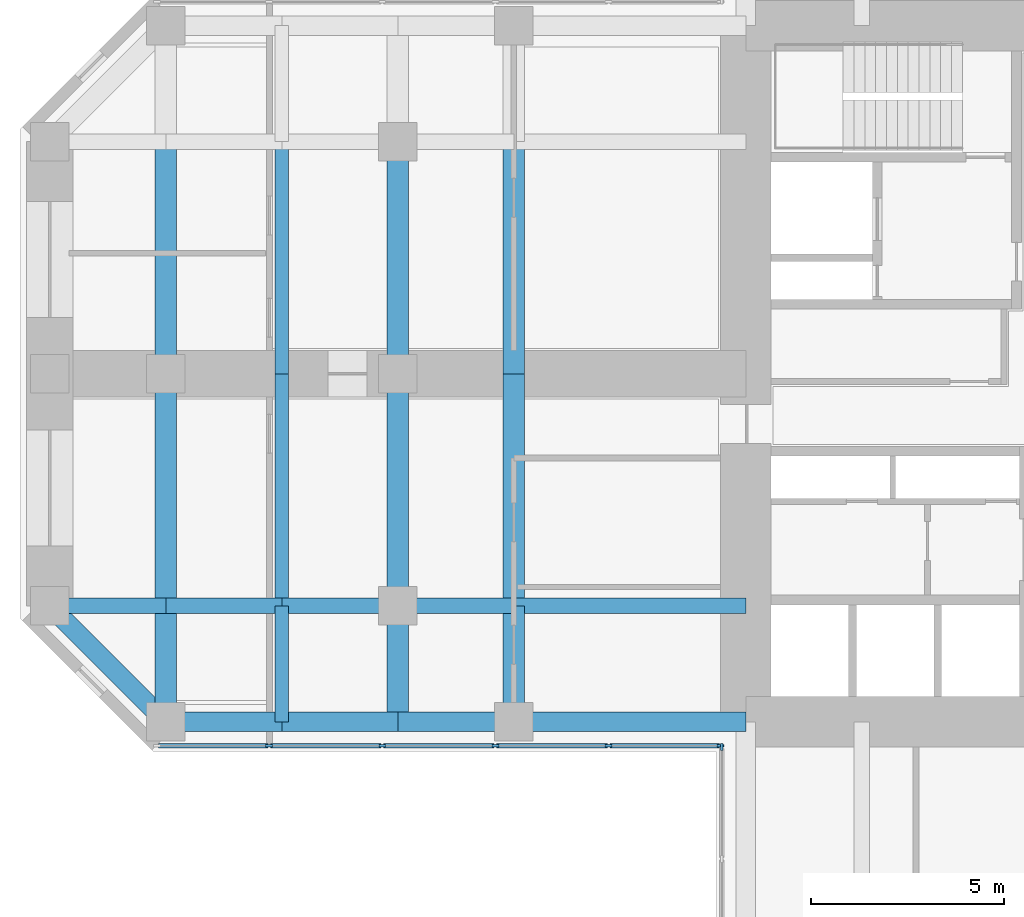
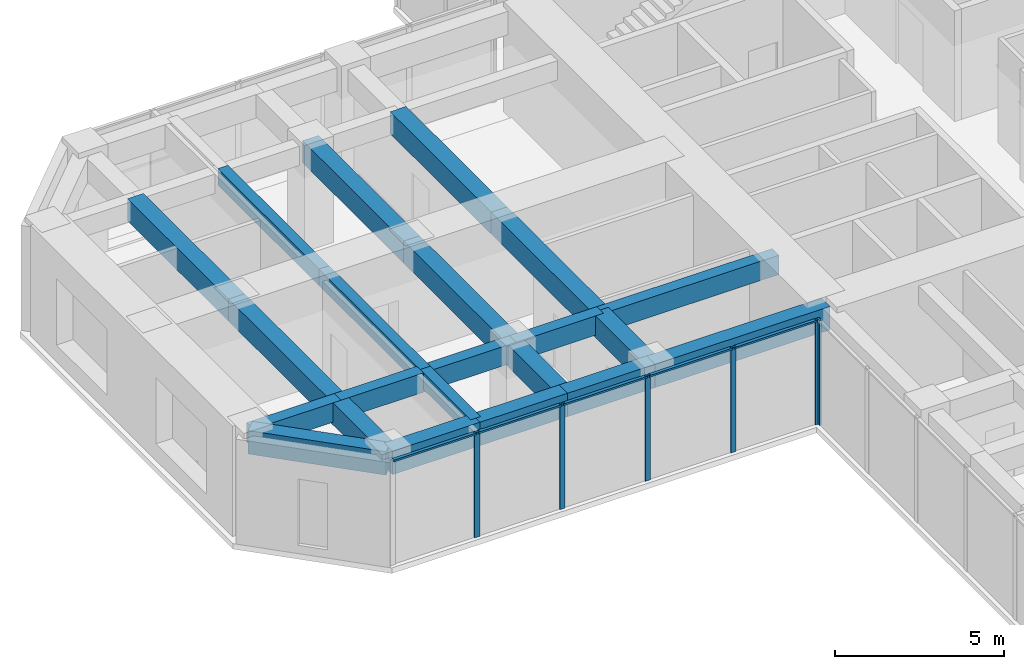
# One storey, part 3 of 13: 22 beams, 11 members, 2 elements without a shape of their own.
"""IFC4 building model written with IfcOpenShell, lengths in metres."""

from ifc_helpers import new_model, si_unit, direction, frame, origin, origin_2d, place, context, subcontext, project, spatial, rectangle, extrude, material, material_profile, profile_set, type_object, element, aggregate, save


model = new_model("IFC4")

# Units and contexts
model_context = context("Model", 3, precision=1e-05, world=origin(), true_north=direction((0.0, 1.0)))
body_context = subcontext(model_context, "Body", "Model", "MODEL_VIEW")
ifc_project = project(units=[si_unit("LENGTHUNIT", "METRE"), si_unit("AREAUNIT", "SQUARE_METRE"), si_unit("VOLUMEUNIT", "CUBIC_METRE"), si_unit("PLANEANGLEUNIT", "RADIAN"), si_unit("MASSUNIT", "GRAM", prefix="KILO")], contexts=[model_context])

# Site, building, storey
site_placement = place(None, origin())
site = spatial("IfcSite", under=ifc_project, at=site_placement, CompositionType="ELEMENT")
building_placement = place(site_placement, origin())
building = spatial("IfcBuilding", under=site, at=building_placement, Name="Torre Cruceta", CompositionType="ELEMENT")
storey_placement = place(building_placement, frame((0.0, 0.0, 156.5)))
storey = spatial("IfcBuildingStorey", under=building, at=storey_placement, Name="L38", CompositionType="ELEMENT", Elevation=156.5)

# Beams
ifc_material_1 = material(Name="Concrete G60 (fck 60 MPa)", Category="concrete")
ifc_material_profile_1 = material_profile(ifc_material_1, rectangle(XDim=0.39990234375, YDim=0.699951171875, at=origin_2d()), Name="RC 400X700")
ifc_profile_set_1 = profile_set([ifc_material_profile_1], Name="Concrete G60 (fck 60 MPa)")
beam_type_1 = type_object("IfcBeamType", Name="COLUMN LINE BEAM RC 400X700", PredefinedType="BEAM", material=ifc_profile_set_1)
beam_1_placement = place(storey_placement, frame((-9.0, -6.0, 3.449951171875), z_axis=(-1.0, 0.0, 0.0), x_axis=(0.0, -1.0, 0.0)))
element("IfcBeam", 1, at=beam_1_placement, inside=storey, type_object=beam_type_1, Name="LB5 L38 W col+ 1", PredefinedType="BEAM", context=body_context, shape_type="SweptSolid", body=[
    extrude(rectangle(XDim=0.39990234375, YDim=0.699951171875, at=origin_2d()), origin(), (0.0, 0.0, 1.0), 6.0),
])
for number, where, z_axis, x_axis, name in (
    (2, (-15.0, -6.0, 3.449951171875), (-1.0, 0.0, 0.0), (0.0, -1.0, 0.0), "LB5 L38 W col+ 2"),
    (3, (-18.0, -6.0, 3.449951171875), (-1.0, 0.0, 0.0), (0.0, -1.0, 0.0), "LB5 L38 W col+ 3"),
    (4, (-21.0, -6.0, 3.449951171875), (-1.0, 0.0, 0.0), (0.0, -1.0, 0.0), "LB5 L38 W col+ 4"),
    (5, (-24.0, -6.0, 3.449951171875), (-1.0, 0.0, 0.0), (0.0, -1.0, 0.0), "LB5 L38 W col+ 5"),
):
    element("IfcBeam", number, at=place(storey_placement, frame(where, z_axis=z_axis, x_axis=x_axis)), inside=storey, type_object=beam_type_1, Name=name, PredefinedType="BEAM", context=body_context, shape_type="SweptSolid", body=[
        extrude(rectangle(XDim=0.39990234375, YDim=0.699951171875, at=origin_2d()), origin(), (0.0, 0.0, 1.0), 3.0),
    ])
ifc_material_2 = material(Name="Concrete G60 (fck 60 MPa)", Category="concrete")
ifc_material_profile_2 = material_profile(ifc_material_2, rectangle(XDim=0.550048828125, YDim=0.800048828125, at=origin_2d()), Name="RC 550X800")
ifc_profile_set_2 = profile_set([ifc_material_profile_2], Name="Concrete G60 (fck 60 MPa)")
beam_type_2 = type_object("IfcBeamType", Name="CROSS BEAM RC 550X800", PredefinedType="BEAM", material=ifc_profile_set_2)
for number, where, z_axis, x_axis, name in (
    (6, (-15.0, 6.0, 3.39990234375), (0.0, -1.0, 0.0), (1.0, 0.0, 0.0), "GB5 L38 W cross15 2"),
    (7, (-15.0, 0.0, 3.39990234375), (0.0, -1.0, 0.0), (1.0, 0.0, 0.0), "GB5 L38 W cross15 3"),
):
    element("IfcBeam", number, at=place(storey_placement, frame(where, z_axis=z_axis, x_axis=x_axis)), inside=storey, type_object=beam_type_2, Name=name, PredefinedType="BEAM", context=body_context, shape_type="SweptSolid", body=[
        extrude(rectangle(XDim=0.550048828125, YDim=0.800048828125, at=origin_2d()), origin(), (0.0, 0.0, 1.0), 6.0),
    ])
beam_2_placement = place(storey_placement, frame((-15.0, -6.0, 3.39990234375), z_axis=(0.0, -1.0, 0.0), x_axis=(1.0, 0.0, 0.0)))
element("IfcBeam", 8, at=beam_2_placement, inside=storey, type_object=beam_type_2, Name="GB5 L38 W cross15 4", PredefinedType="BEAM", context=body_context, shape_type="SweptSolid", body=[
    extrude(rectangle(XDim=0.550048828125, YDim=0.800048828125, at=origin_2d()), origin(), (0.0, 0.0, 1.0), 3.0),
])
for number, where, z_axis, x_axis, name in (
    (9, (-18.0, 6.0, 3.39990234375), (0.0, -1.0, 0.0), (1.0, 0.0, 0.0), "GB5 L38 W cross18 2"),
    (10, (-18.0, 0.0, 3.39990234375), (0.0, -1.0, 0.0), (1.0, 0.0, 0.0), "GB5 L38 W cross18 3"),
):
    element("IfcBeam", number, at=place(storey_placement, frame(where, z_axis=z_axis, x_axis=x_axis)), inside=storey, type_object=beam_type_2, Name=name, PredefinedType="BEAM", context=body_context, shape_type="SweptSolid", body=[
        extrude(rectangle(XDim=0.550048828125, YDim=0.800048828125, at=origin_2d()), origin(), (0.0, 0.0, 1.0), 6.0),
    ])
beam_3_placement = place(storey_placement, frame((-18.0, -6.0, 3.39990234375), z_axis=(0.0, -1.0, 0.0), x_axis=(1.0, 0.0, 0.0)))
element("IfcBeam", 11, at=beam_3_placement, inside=storey, type_object=beam_type_2, Name="GB5 L38 W cross18 4", PredefinedType="BEAM", context=body_context, shape_type="SweptSolid", body=[
    extrude(rectangle(XDim=0.550048828125, YDim=0.800048828125, at=origin_2d()), origin(), (0.0, 0.0, 1.0), 3.0),
])
for number, where, z_axis, x_axis, name in (
    (12, (-24.0, 6.0, 3.39990234375), (0.0, -1.0, 0.0), (1.0, 0.0, 0.0), "GB5 L38 W cross24 2"),
    (13, (-24.0, 0.0, 3.39990234375), (0.0, -1.0, 0.0), (1.0, 0.0, 0.0), "GB5 L38 W cross24 3"),
):
    element("IfcBeam", number, at=place(storey_placement, frame(where, z_axis=z_axis, x_axis=x_axis)), inside=storey, type_object=beam_type_2, Name=name, PredefinedType="BEAM", context=body_context, shape_type="SweptSolid", body=[
        extrude(rectangle(XDim=0.550048828125, YDim=0.800048828125, at=origin_2d()), origin(), (0.0, 0.0, 1.0), 6.0),
    ])
beam_4_placement = place(storey_placement, frame((-24.0, -6.0, 3.39990234375), z_axis=(0.0, -1.0, 0.0), x_axis=(1.0, 0.0, 0.0)))
element("IfcBeam", 14, at=beam_4_placement, inside=storey, type_object=beam_type_2, Name="GB5 L38 W cross24 4", PredefinedType="BEAM", context=body_context, shape_type="SweptSolid", body=[
    extrude(rectangle(XDim=0.550048828125, YDim=0.800048828125, at=origin_2d()), origin(), (0.0, 0.0, 1.0), 3.0),
])

# Curtain wall, members
ifc_material_3 = material(Name="Aluminium unitised curtain wall", Category="aluminium")
curtain_wall_type = type_object("IfcCurtainWallType", Name="CURTAIN WALL CW-B OFFICE MID RISE", PredefinedType="USERDEFINED", material=ifc_material_3)
curtain_wall_1_placement = place(storey_placement, origin())
curtain_wall_1 = element("IfcCurtainWall", 15, at=curtain_wall_1_placement, inside=storey, type_object=curtain_wall_type, Name="CW-B L38 W side 14", ObjectType="UNITISED", PredefinedType="USERDEFINED")
ifc_material_4 = material(Name="Aluminium mullion", Category="aluminium")
ifc_material_profile_3 = material_profile(ifc_material_4, rectangle(XDim=0.06494140625, YDim=0.179931640625, at=origin_2d()), Name="AL 65X180")
ifc_profile_set_3 = profile_set([ifc_material_profile_3], Name="Aluminium mullion")
member_type_1 = type_object("IfcMemberType", Name="CW-B MULLION 65X180", PredefinedType="MULLION", material=ifc_profile_set_3)
member_1_placement = place(storey_placement, frame((-21.329345703125, -9.6201171875, 0.0), z_axis=(0.0, 0.0, 1.0), x_axis=(0.0, 1.0, 0.0)))
member_1 = element("IfcMember", 16, at=member_1_placement, type_object=member_type_1, Name="CW-B mullion 2", PredefinedType="MULLION", context=body_context, shape_type="SweptSolid", body=[
    extrude(rectangle(XDim=0.06494140625, YDim=0.179931640625, at=origin_2d()), origin(), (0.0, 0.0, 1.0), 3.800048828125),
])
member_2_placement = place(storey_placement, frame((-18.402099609375, -9.6201171875, 0.0), z_axis=(0.0, 0.0, 1.0), x_axis=(0.0, 1.0, 0.0)))
member_2 = element("IfcMember", 17, at=member_2_placement, type_object=member_type_1, Name="CW-B mullion 3", PredefinedType="MULLION", context=body_context, shape_type="SweptSolid", body=[
    extrude(rectangle(XDim=0.06494140625, YDim=0.179931640625, at=origin_2d()), origin(), (0.0, 0.0, 1.0), 3.800048828125),
])
member_3_placement = place(storey_placement, frame((-15.474609375, -9.6201171875, 0.0), z_axis=(0.0, 0.0, 1.0), x_axis=(0.0, 1.0, 0.0)))
member_3 = element("IfcMember", 18, at=member_3_placement, type_object=member_type_1, Name="CW-B mullion 4", PredefinedType="MULLION", context=body_context, shape_type="SweptSolid", body=[
    extrude(rectangle(XDim=0.06494140625, YDim=0.179931640625, at=origin_2d()), origin(), (0.0, 0.0, 1.0), 3.800048828125),
])
member_4_placement = place(storey_placement, frame((-12.54736328125, -9.6201171875, 0.0), z_axis=(0.0, 0.0, 1.0), x_axis=(0.0, 1.0, 0.0)))
member_4 = element("IfcMember", 19, at=member_4_placement, type_object=member_type_1, Name="CW-B mullion 5", PredefinedType="MULLION", context=body_context, shape_type="SweptSolid", body=[
    extrude(rectangle(XDim=0.06494140625, YDim=0.179931640625, at=origin_2d()), origin(), (0.0, 0.0, 1.0), 3.800048828125),
])
member_5_placement = place(storey_placement, frame((-9.652587890625, -9.6201171875, 0.0), z_axis=(0.0, 0.0, 1.0), x_axis=(0.0, 1.0, 0.0)))
member_5 = element("IfcMember", 20, at=member_5_placement, type_object=member_type_1, Name="CW-B mullion 6", PredefinedType="MULLION", context=body_context, shape_type="SweptSolid", body=[
    extrude(rectangle(XDim=0.06494140625, YDim=0.179931640625, at=origin_2d()), origin(), (0.0, 0.0, 1.0), 3.800048828125),
])

# Curtain wall, member
curtain_wall_2_placement = place(storey_placement, origin())
curtain_wall_2 = element("IfcCurtainWall", 21, at=curtain_wall_2_placement, inside=storey, type_object=curtain_wall_type, Name="CW-B L38 S side 15", ObjectType="UNITISED", PredefinedType="USERDEFINED")
member_6_placement = place(storey_placement, frame((-9.6201171875, -9.652587890625, 0.0), z_axis=(0.0, 0.0, 1.0), x_axis=(1.0, 0.0, 0.0)))
member_6 = element("IfcMember", 22, at=member_6_placement, type_object=member_type_1, Name="CW-B mullion 1", PredefinedType="MULLION", context=body_context, shape_type="SweptSolid", body=[
    extrude(rectangle(XDim=0.06494140625, YDim=0.179931640625, at=origin_2d()), origin(), (0.0, 0.0, 1.0), 3.800048828125),
])
aggregate(curtain_wall_2, [member_6])

# Member
ifc_material_5 = material(Name="Aluminium transom", Category="aluminium")
ifc_material_profile_4 = material_profile(ifc_material_5, rectangle(XDim=0.110107421875, YDim=0.06494140625, at=origin_2d()), Name="AL 110X65")
ifc_profile_set_4 = profile_set([ifc_material_profile_4], Name="Aluminium transom")
member_type_2 = type_object("IfcMemberType", Name="CW-B TRANSOM 65X110", PredefinedType="USERDEFINED", material=ifc_profile_set_4)
member_7_placement = place(storey_placement, frame((-24.19189453125, -9.6201171875, 3.767578125), z_axis=(1.0, 0.0, 0.0), x_axis=(0.0, 1.0, 0.0)))
member_7 = element("IfcMember", 23, at=member_7_placement, type_object=member_type_2, Name="CW-B transom 1", ObjectType="TRANSOM", PredefinedType="USERDEFINED", context=body_context, shape_type="SweptSolid", body=[
    extrude(rectangle(XDim=0.110107421875, YDim=0.06494140625, at=origin_2d()), origin(), (0.0, 0.0, 1.0), 2.829833984375),
])

member_8_placement = place(storey_placement, frame((-21.296875, -9.6201171875, 3.767578125), z_axis=(1.0, 0.0, 0.0), x_axis=(0.0, 1.0, 0.0)))
member_8 = element("IfcMember", 24, at=member_8_placement, type_object=member_type_2, Name="CW-B transom 2", ObjectType="TRANSOM", PredefinedType="USERDEFINED", context=body_context, shape_type="SweptSolid", body=[
    extrude(rectangle(XDim=0.110107421875, YDim=0.06494140625, at=origin_2d()), origin(), (0.0, 0.0, 1.0), 2.8623046875),
])

member_9_placement = place(storey_placement, frame((-18.36962890625, -9.6201171875, 3.767578125), z_axis=(1.0, 0.0, 0.0), x_axis=(0.0, 1.0, 0.0)))
member_9 = element("IfcMember", 25, at=member_9_placement, type_object=member_type_2, Name="CW-B transom 3", ObjectType="TRANSOM", PredefinedType="USERDEFINED", context=body_context, shape_type="SweptSolid", body=[
    extrude(rectangle(XDim=0.110107421875, YDim=0.06494140625, at=origin_2d()), origin(), (0.0, 0.0, 1.0), 2.8623046875),
])

member_10_placement = place(storey_placement, frame((-15.442138671875, -9.6201171875, 3.767578125), z_axis=(1.0, 0.0, 0.0), x_axis=(0.0, 1.0, 0.0)))
member_10 = element("IfcMember", 26, at=member_10_placement, type_object=member_type_2, Name="CW-B transom 4", ObjectType="TRANSOM", PredefinedType="USERDEFINED", context=body_context, shape_type="SweptSolid", body=[
    extrude(rectangle(XDim=0.110107421875, YDim=0.06494140625, at=origin_2d()), origin(), (0.0, 0.0, 1.0), 2.8623046875),
])

member_11_placement = place(storey_placement, frame((-12.514892578125, -9.6201171875, 3.767578125), z_axis=(1.0, 0.0, 0.0), x_axis=(0.0, 1.0, 0.0)))
member_11 = element("IfcMember", 27, at=member_11_placement, type_object=member_type_2, Name="CW-B transom 5", ObjectType="TRANSOM", PredefinedType="USERDEFINED", context=body_context, shape_type="SweptSolid", body=[
    extrude(rectangle(XDim=0.110107421875, YDim=0.06494140625, at=origin_2d()), origin(), (0.0, 0.0, 1.0), 2.829833984375),
])

aggregate(curtain_wall_1, [member_1, member_2, member_3, member_4, member_5, member_7, member_8, member_9, member_10, member_11])

# Beams
ifc_material_6 = material(Name="Concrete G60 (fck 60 MPa)", Category="concrete")
ifc_material_profile_5 = material_profile(ifc_material_6, rectangle(XDim=0.35009765625, YDim=0.60009765625, at=origin_2d()), Name="RC 350X600")
ifc_profile_set_5 = profile_set([ifc_material_profile_5], Name="Concrete G60 (fck 60 MPa)")
beam_type_3 = type_object("IfcBeamType", Name="SECONDARY BEAM RC 350X600", PredefinedType="JOIST", material=ifc_profile_set_5)
for number, where, z_axis, x_axis, name in (
    (28, (-21.0, 6.0, 3.5), (0.0, -1.0, 0.0), (1.0, 0.0, 0.0), "JB5 L38 W sec21 2"),
    (29, (-21.0, 0.0, 3.5), (0.0, -1.0, 0.0), (1.0, 0.0, 0.0), "JB5 L38 W sec21 3"),
):
    element("IfcBeam", number, at=place(storey_placement, frame(where, z_axis=z_axis, x_axis=x_axis)), inside=storey, type_object=beam_type_3, Name=name, PredefinedType="JOIST", context=body_context, shape_type="SweptSolid", body=[
        extrude(rectangle(XDim=0.35009765625, YDim=0.60009765625, at=origin_2d()), origin(), (0.0, 0.0, 1.0), 6.0),
    ])
beam_5_placement = place(storey_placement, frame((-21.0, -6.0, 3.5), z_axis=(0.0, -1.0, 0.0), x_axis=(1.0, 0.0, 0.0)))
element("IfcBeam", 30, at=beam_5_placement, inside=storey, type_object=beam_type_3, Name="JB5 L38 W sec21 4", PredefinedType="JOIST", context=body_context, shape_type="SweptSolid", body=[
    extrude(rectangle(XDim=0.35009765625, YDim=0.60009765625, at=origin_2d()), origin(), (0.0, 0.0, 1.0), 3.0),
])
ifc_material_7 = material(Name="Concrete G60 (fck 60 MPa)", Category="concrete")
ifc_material_profile_6 = material_profile(ifc_material_7, rectangle(XDim=0.5, YDim=0.85009765625, at=origin_2d()), Name="RC 500X850")
ifc_profile_set_6 = profile_set([ifc_material_profile_6], Name="Concrete G60 (fck 60 MPa)")
beam_type_4 = type_object("IfcBeamType", Name="SPANDREL BEAM RC 500X850", PredefinedType="SPANDREL", material=ifc_profile_set_6)
beam_6_placement = place(storey_placement, frame((-9.0, -9.0, 3.375), z_axis=(-1.0, 0.0, 0.0), x_axis=(0.0, -1.0, 0.0)))
element("IfcBeam", 31, at=beam_6_placement, inside=storey, type_object=beam_type_4, Name="SB5 L38 W side+ 1", PredefinedType="SPANDREL", context=body_context, shape_type="SweptSolid", body=[
    extrude(rectangle(XDim=0.5, YDim=0.85009765625, at=origin_2d()), origin(), (0.0, 0.0, 1.0), 6.0),
])
for number, where, z_axis, x_axis, name in (
    (32, (-15.0, -9.0, 3.375), (-1.0, 0.0, 0.0), (0.0, -1.0, 0.0), "SB5 L38 W side+ 2"),
    (33, (-18.0, -9.0, 3.375), (-1.0, 0.0, 0.0), (0.0, -1.0, 0.0), "SB5 L38 W side+ 3"),
    (34, (-21.0, -9.0, 3.375), (-1.0, 0.0, 0.0), (0.0, -1.0, 0.0), "SB5 L38 W side+ 4"),
):
    element("IfcBeam", number, at=place(storey_placement, frame(where, z_axis=z_axis, x_axis=x_axis)), inside=storey, type_object=beam_type_4, Name=name, PredefinedType="SPANDREL", context=body_context, shape_type="SweptSolid", body=[
        extrude(rectangle(XDim=0.5, YDim=0.85009765625, at=origin_2d()), origin(), (0.0, 0.0, 1.0), 3.0),
    ])
beam_7_placement = place(storey_placement, frame((-24.0, -9.0, 3.375), z_axis=(-0.707106781187, 0.707106781187, 0.0), x_axis=(-0.707106781187, -0.707106781187, 0.0)))
element("IfcBeam", 35, at=beam_7_placement, inside=storey, type_object=beam_type_4, Name="SB5 L38 W side+ 5", PredefinedType="SPANDREL", context=body_context, shape_type="SweptSolid", body=[
    extrude(rectangle(XDim=0.5, YDim=0.85009765625, at=origin_2d()), origin(), (0.0, 0.0, 1.0), 4.24267578125),
])

save(model, "model.ifc")
